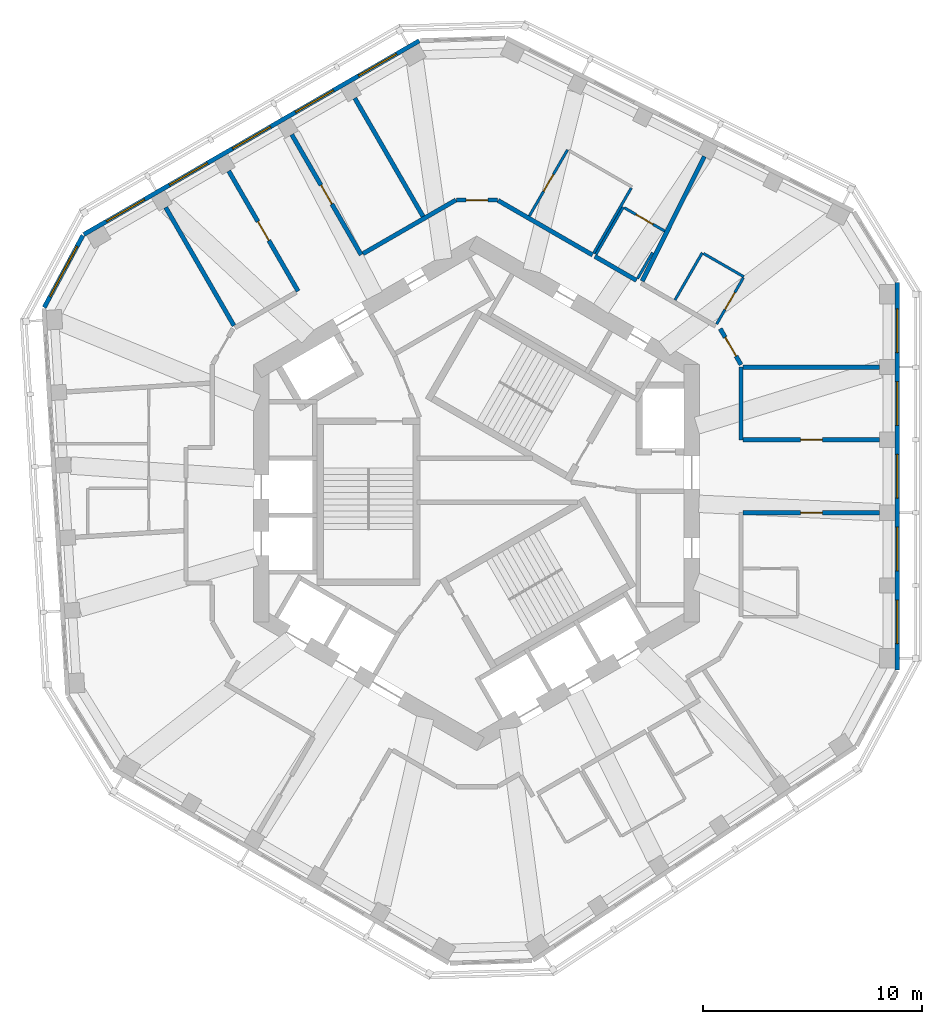
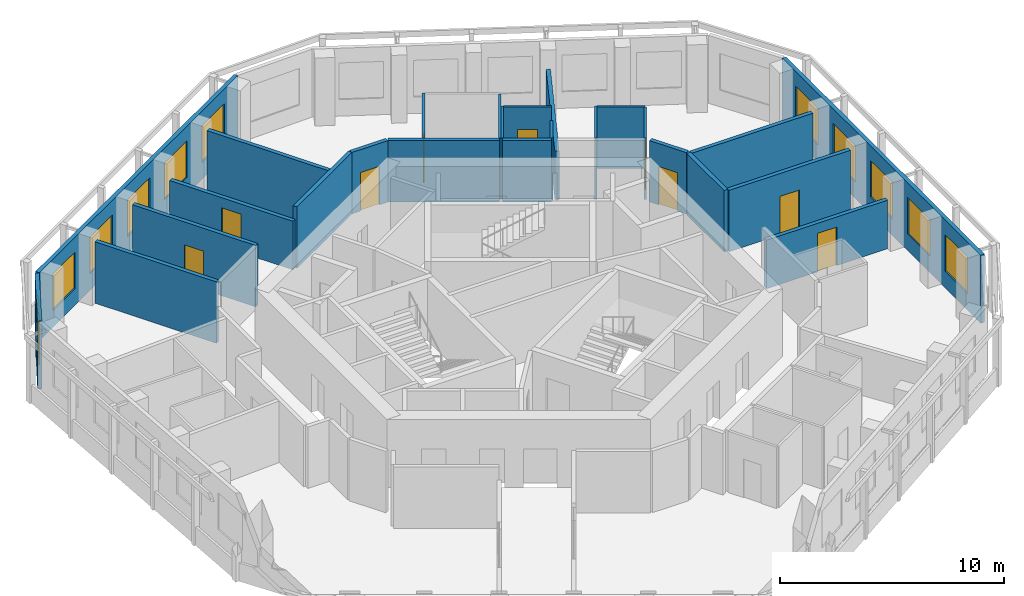
# One storey, part 7 of 11: 25 walls, 11 windows, 9 doors, 20 openings.
"""IFC4 building model written with IfcOpenShell, lengths in metres."""

from ifc_helpers import new_model, si_unit, direction, frame, frame_2d, origin, place, context, subcontext, project, spatial, rectangle, extrude, material, layer, layer_set, type_object, element, fill, save


model = new_model("IFC4")

# Units and contexts
model_context = context("Model", 3, precision=1e-05, world=origin(), true_north=direction((0.0, 1.0)))
body_context = subcontext(model_context, "Body", "Model", "MODEL_VIEW")
ifc_project = project(units=[si_unit("LENGTHUNIT", "METRE"), si_unit("AREAUNIT", "SQUARE_METRE"), si_unit("VOLUMEUNIT", "CUBIC_METRE"), si_unit("PLANEANGLEUNIT", "RADIAN"), si_unit("MASSUNIT", "GRAM", prefix="KILO")], contexts=[model_context])

# Site, building, storey
site_placement = place(None, origin())
site = spatial("IfcSite", under=ifc_project, at=site_placement, CompositionType="ELEMENT")
building_placement = place(site_placement, origin())
building = spatial("IfcBuilding", under=site, at=building_placement, Name="Vanh Sen Convention Tower", CompositionType="ELEMENT")
storey_placement = place(building_placement, frame((0.0, 0.0, 296.800048828125)))
storey = spatial("IfcBuildingStorey", under=building, at=storey_placement, Name="L73", CompositionType="ELEMENT", Elevation=296.800048828125)

# Wall, opening, door
ifc_material_1 = material(Name="Moisture-resistant gypsum board on steel studs", Category="steel")
ifc_layer_1 = layer(ifc_material_1, 0.1201171875)
ifc_layer_set_1 = layer_set([ifc_layer_1], Name="Moisture-resistant gypsum board on steel studs")
wall_type_1 = type_object("IfcWallType", Name="Bathroom partition 120", PredefinedType="PARTITIONING", material=ifc_layer_set_1)
wall_1_placement = place(storey_placement, frame((2.4130859375, 12.694091796875, 0.0), z_axis=(0.0, 0.0, 1.0), x_axis=(0.500010275428, 0.866019471182, 0.0)))
wall_1 = element("IfcWall", 1, at=wall_1_placement, inside=storey, type_object=wall_type_1, Name="Bathroom partition 120", PredefinedType="PARTITIONING", context=body_context, shape_type="SweptSolid", body=[
    extrude(rectangle(XDim=3.5, YDim=0.1201171875, at=frame_2d((1.75, 0.0))), origin(), (0.0, 0.0, 1.0), 3.349853515625),
])
opening_1_placement = place(wall_1_placement, frame((1.300048828125, 0.0, 0.0)))
opening_1 = element("IfcOpeningElement", 2, at=opening_1_placement, cuts=wall_1, Name="Opening D72106", PredefinedType="OPENING", context=body_context, shape_type="SweptSolid", body=[
    extrude(rectangle(XDim=0.89990234375, YDim=2.10009765625, at=frame_2d((0.449951171875, 1.050048828125))), frame((0.0, 0.070068359375, 0.0), z_axis=(0.0, -1.0, 0.0), x_axis=(1.0, 0.0, 0.0)), (0.0, 0.0, 1.0), 0.14013671875),
])
ifc_material_2 = material(Name="Laminate door in steel frame", Category="steel")
door_type_1 = type_object("IfcDoorType", Name="Room internal door 900", OperationType="SINGLE_SWING_LEFT", PredefinedType="DOOR", material=ifc_material_2)
door_1_placement = place(opening_1_placement, origin())
door_1 = element("IfcDoor", 3, at=door_1_placement, inside=storey, type_object=door_type_1, Name="Internal room door D72106", OperationType="SINGLE_SWING_LEFT", OverallHeight=2.10009765625, OverallWidth=0.89990234375, PredefinedType="DOOR", context=body_context, shape_type="SweptSolid", body=[
    extrude(rectangle(XDim=0.89990234375, YDim=2.10009765625, at=frame_2d((0.449951171875, 1.050048828125))), frame((0.0, 0.02490234375, 0.0), z_axis=(0.0, -1.0, 0.0), x_axis=(1.0, 0.0, 0.0)), (0.0, 0.0, 1.0), 0.050048828125),
])
fill(opening_1, door_1)

# Wall
wall_2_placement = place(storey_placement, frame((5.46142578125, 10.93408203125, 0.0), z_axis=(0.0, 0.0, 1.0), x_axis=(0.500004234368, 0.866022959057, 0.0)))
element("IfcWall", 4, at=wall_2_placement, inside=storey, type_object=wall_type_1, Name="Bathroom partition 120", PredefinedType="PARTITIONING", context=body_context, shape_type="SweptSolid", body=[
    extrude(rectangle(XDim=2.5, YDim=0.1201171875, at=frame_2d((1.25, 0.0))), origin(), (0.0, 0.0, 1.0), 3.349853515625),
])

# Wall, opening, door
wall_3_placement = place(storey_placement, frame((6.763427734375, 13.069091796875, 0.0), z_axis=(0.0, 0.0, 1.0), x_axis=(0.866019511163, -0.500010206181, 0.0)))
wall_3 = element("IfcWall", 5, at=wall_3_placement, inside=storey, type_object=wall_type_1, Name="Bathroom partition 120", PredefinedType="PARTITIONING", context=body_context, shape_type="SweptSolid", body=[
    extrude(rectangle(XDim=2.1298828125, YDim=0.1201171875, at=frame_2d((1.06494140625, 0.0))), origin(), (0.0, 0.0, 1.0), 3.349853515625),
])
opening_2_placement = place(wall_3_placement, frame((0.614990234375, 0.0, 0.0)))
opening_2 = element("IfcOpeningElement", 6, at=opening_2_placement, cuts=wall_3, Name="Opening D72105", PredefinedType="OPENING", context=body_context, shape_type="SweptSolid", body=[
    extrude(rectangle(XDim=0.89990234375, YDim=2.10009765625, at=frame_2d((0.449951171875, 1.050048828125))), frame((0.0, 0.070068359375, 0.0), z_axis=(0.0, -1.0, 0.0), x_axis=(1.0, 0.0, 0.0)), (0.0, 0.0, 1.0), 0.14013671875),
])
door_2_placement = place(opening_2_placement, origin())
door_2 = element("IfcDoor", 7, at=door_2_placement, inside=storey, type_object=door_type_1, Name="Internal room door D72105", OperationType="SINGLE_SWING_LEFT", OverallHeight=2.10009765625, OverallWidth=0.89990234375, PredefinedType="DOOR", context=body_context, shape_type="SweptSolid", body=[
    extrude(rectangle(XDim=0.89990234375, YDim=2.10009765625, at=frame_2d((0.449951171875, 1.050048828125))), frame((0.0, 0.02490234375, 0.0), z_axis=(0.0, -1.0, 0.0), x_axis=(1.0, 0.0, 0.0)), (0.0, 0.0, 1.0), 0.050048828125),
])
fill(opening_2, door_2)

# Walls
wall_4_placement = place(storey_placement, frame((7.077392578125, 13.97314453125, 0.0), z_axis=(0.0, 0.0, 1.0), x_axis=(-0.499955923987, -0.866050849587, 0.0)))
element("IfcWall", 8, at=wall_4_placement, inside=storey, type_object=wall_type_1, Name="Bathroom partition 120", PredefinedType="PARTITIONING", context=body_context, shape_type="SweptSolid", body=[
    extrude(rectangle(XDim=3.439697265625, YDim=0.1201171875, at=frame_2d((1.7197265625, 0.0))), origin(), (0.0, 0.0, 1.0), 3.349853515625),
])
wall_5_placement = place(storey_placement, frame((8.05078125, 11.018798828125, 0.0), z_axis=(0.0, 0.0, 1.0), x_axis=(-0.500093228334, -0.86597157169, 0.0)))
element("IfcWall", 9, at=wall_5_placement, inside=storey, type_object=wall_type_1, Name="Bathroom partition 120", PredefinedType="PARTITIONING", context=body_context, shape_type="SweptSolid", body=[
    extrude(rectangle(XDim=1.367919921875, YDim=0.1201171875, at=frame_2d((0.68408203125, 0.0))), origin(), (0.0, 0.0, 1.0), 3.349853515625),
])
wall_6_placement = place(storey_placement, frame((9.078125, 8.845947265625, 0.0), z_axis=(0.0, 0.0, 1.0), x_axis=(0.500004234368, 0.866022959057, 0.0)))
element("IfcWall", 10, at=wall_6_placement, inside=storey, type_object=wall_type_1, Name="Bathroom partition 120", PredefinedType="PARTITIONING", context=body_context, shape_type="SweptSolid", body=[
    extrude(rectangle(XDim=2.5, YDim=0.1201171875, at=frame_2d((1.25, 0.0))), origin(), (0.0, 0.0, 1.0), 3.349853515625),
])
wall_7_placement = place(storey_placement, frame((10.380126953125, 10.981201171875, 0.0), z_axis=(0.0, 0.0, 1.0), x_axis=(0.86600889856, -0.500028586798, 0.0)))
element("IfcWall", 11, at=wall_7_placement, inside=storey, type_object=wall_type_1, Name="Bathroom partition 120", PredefinedType="PARTITIONING", context=body_context, shape_type="SweptSolid", body=[
    extrude(rectangle(XDim=2.139892578125, YDim=0.1201171875, at=frame_2d((1.06982421875, 0.0))), origin(), (0.0, 0.0, 1.0), 3.349853515625),
])

# Wall, opening, door
wall_8_placement = place(storey_placement, frame((12.20361328125, 9.859130859375, 0.0), z_axis=(0.0, 0.0, 1.0), x_axis=(-0.500077547548, -0.865980627057, 0.0)))
wall_8 = element("IfcWall", 12, at=wall_8_placement, inside=storey, type_object=wall_type_1, Name="Bathroom partition 120", PredefinedType="PARTITIONING", context=body_context, shape_type="SweptSolid", body=[
    extrude(rectangle(XDim=2.43994140625, YDim=0.1201171875, at=frame_2d((1.219970703125, 0.0))), origin(), (0.0, 0.0, 1.0), 3.349853515625),
])
opening_3_placement = place(wall_8_placement, frame((0.77001953125, 0.0, 0.0)))
opening_3 = element("IfcOpeningElement", 13, at=opening_3_placement, cuts=wall_8, Name="Opening D72103", PredefinedType="OPENING", context=body_context, shape_type="SweptSolid", body=[
    extrude(rectangle(XDim=0.89990234375, YDim=2.10009765625, at=frame_2d((0.449951171875, 1.050048828125))), frame((0.0, 0.070068359375, 0.0), z_axis=(0.0, -1.0, 0.0), x_axis=(1.0, 0.0, 0.0)), (0.0, 0.0, 1.0), 0.14013671875),
])
door_3_placement = place(opening_3_placement, origin())
door_3 = element("IfcDoor", 14, at=door_3_placement, inside=storey, type_object=door_type_1, Name="Internal room door D72103", OperationType="SINGLE_SWING_LEFT", OverallHeight=2.10009765625, OverallWidth=0.89990234375, PredefinedType="DOOR", context=body_context, shape_type="SweptSolid", body=[
    extrude(rectangle(XDim=0.89990234375, YDim=2.10009765625, at=frame_2d((0.449951171875, 1.050048828125))), frame((0.0, 0.02490234375, 0.0), z_axis=(0.0, -1.0, 0.0), x_axis=(1.0, 0.0, 0.0)), (0.0, 0.0, 1.0), 0.050048828125),
])
fill(opening_3, door_3)

ifc_material_3 = material(Name="Gypsum board on steel studs with mineral wool", Category="steel")
ifc_layer_2 = layer(ifc_material_3, 0.199951171875)
ifc_layer_set_2 = layer_set([ifc_layer_2], Name="Gypsum board on steel studs with mineral wool")
wall_type_2 = type_object("IfcWallType", Name="Corridor partition wall 200", PredefinedType="PARTITIONING", material=ifc_layer_set_2)
wall_9_placement = place(storey_placement, frame((-11.34521484375, 14.754150390625, 0.0), z_axis=(0.0, 0.0, 1.0), x_axis=(0.500005339912, -0.866022320763, 0.0)))
wall_9 = element("IfcWall", 15, at=wall_9_placement, inside=storey, type_object=wall_type_2, Name="Corridor partition wall 200", PredefinedType="PARTITIONING", context=body_context, shape_type="SweptSolid", body=[
    extrude(rectangle(XDim=6.35009765625, YDim=0.199951171875, at=frame_2d((3.175048828125, 0.0))), origin(), (0.0, 0.0, 1.0), 3.349853515625),
])
opening_4_placement = place(wall_9_placement, frame((2.675048828125, 0.0, 0.0)))
opening_4 = element("IfcOpeningElement", 16, at=opening_4_placement, cuts=wall_9, Name="Opening D72108", PredefinedType="OPENING", context=body_context, shape_type="SweptSolid", body=[
    extrude(rectangle(XDim=1.0, YDim=2.10009765625, at=frame_2d((0.5, 1.050048828125))), frame((0.0, 0.10986328125, 0.0), z_axis=(0.0, -1.0, 0.0), x_axis=(1.0, 0.0, 0.0)), (0.0, 0.0, 1.0), 0.219970703125),
])
ifc_material_4 = material(Name="Glazed fire door in steel frame", Category="steel")
door_type_2 = type_object("IfcDoorType", Name="Tenant entrance door 1000", OperationType="SINGLE_SWING_LEFT", PredefinedType="DOOR", material=ifc_material_4)
door_4_placement = place(opening_4_placement, origin())
door_4 = element("IfcDoor", 17, at=door_4_placement, inside=storey, type_object=door_type_2, Name="Tenant suite entrance door D72108", OperationType="SINGLE_SWING_LEFT", OverallHeight=2.10009765625, OverallWidth=1.0, PredefinedType="DOOR", context=body_context, shape_type="SweptSolid", body=[
    extrude(rectangle(XDim=1.0, YDim=2.10009765625, at=frame_2d((0.5, 1.050048828125))), frame((0.0, 0.02490234375, 0.0), z_axis=(0.0, -1.0, 0.0), x_axis=(1.0, 0.0, 0.0)), (0.0, 0.0, 1.0), 0.050048828125),
])
fill(opening_4, door_4)

wall_10_placement = place(storey_placement, frame((-8.4599609375, 16.419921875, 0.0), z_axis=(0.0, 0.0, 1.0), x_axis=(0.500005339912, -0.866022320763, 0.0)))
wall_10 = element("IfcWall", 18, at=wall_10_placement, inside=storey, type_object=wall_type_2, Name="Corridor partition wall 200", PredefinedType="PARTITIONING", context=body_context, shape_type="SweptSolid", body=[
    extrude(rectangle(XDim=6.35009765625, YDim=0.199951171875, at=frame_2d((3.175048828125, 0.0))), origin(), (0.0, 0.0, 1.0), 2.64990234375),
])
opening_5_placement = place(wall_10_placement, frame((2.675048828125, 0.0, 0.0)))
opening_5 = element("IfcOpeningElement", 19, at=opening_5_placement, cuts=wall_10, Name="Opening D72107", PredefinedType="OPENING", context=body_context, shape_type="SweptSolid", body=[
    extrude(rectangle(XDim=1.0, YDim=2.10009765625, at=frame_2d((0.5, 1.050048828125))), frame((0.0, 0.10986328125, 0.0), z_axis=(0.0, -1.0, 0.0), x_axis=(1.0, 0.0, 0.0)), (0.0, 0.0, 1.0), 0.219970703125),
])
door_5_placement = place(opening_5_placement, origin())
door_5 = element("IfcDoor", 20, at=door_5_placement, inside=storey, type_object=door_type_2, Name="Tenant suite entrance door D72107", OperationType="SINGLE_SWING_LEFT", OverallHeight=2.10009765625, OverallWidth=1.0, PredefinedType="DOOR", context=body_context, shape_type="SweptSolid", body=[
    extrude(rectangle(XDim=1.0, YDim=2.10009765625, at=frame_2d((0.5, 1.050048828125))), frame((0.0, 0.02490234375, 0.0), z_axis=(0.0, -1.0, 0.0), x_axis=(1.0, 0.0, 0.0)), (0.0, 0.0, 1.0), 0.050048828125),
])
fill(opening_5, door_5)

# Wall
wall_11_placement = place(storey_placement, frame((-0.949951171875, 13.42333984375, 0.0), z_axis=(0.0, 0.0, 1.0), x_axis=(-0.86603557629, -0.499982380289, 0.0)))
element("IfcWall", 21, at=wall_11_placement, inside=storey, type_object=wall_type_2, Name="Corridor partition wall 200", PredefinedType="PARTITIONING", context=body_context, shape_type="SweptSolid", body=[
    extrude(rectangle(XDim=4.905517578125, YDim=0.199951171875, at=frame_2d((2.45263671875, 0.0))), origin(), (0.0, 0.0, 1.0), 3.349853515625),
])

# Wall, opening, door
wall_12_placement = place(storey_placement, frame((0.949951171875, 13.42333984375, 0.0), z_axis=(0.0, 0.0, 1.0), x_axis=(-1.0, 0.0, 0.0)))
wall_12 = element("IfcWall", 22, at=wall_12_placement, inside=storey, type_object=wall_type_2, Name="Corridor partition wall 200", PredefinedType="PARTITIONING", context=body_context, shape_type="SweptSolid", body=[
    extrude(rectangle(XDim=1.85986328125, YDim=0.199951171875, at=frame_2d((0.929931640625, 0.0))), origin(), (0.0, 0.0, 1.0), 3.349853515625),
])
opening_6_placement = place(wall_12_placement, frame((0.429931640625, 0.0, 0.0)))
opening_6 = element("IfcOpeningElement", 23, at=opening_6_placement, cuts=wall_12, Name="Opening D72104", PredefinedType="OPENING", context=body_context, shape_type="SweptSolid", body=[
    extrude(rectangle(XDim=1.0, YDim=2.10009765625, at=frame_2d((0.5, 1.050048828125))), frame((0.0, 0.10986328125, 0.0), z_axis=(0.0, -1.0, 0.0), x_axis=(1.0, 0.0, 0.0)), (0.0, 0.0, 1.0), 0.219970703125),
])
door_6_placement = place(opening_6_placement, origin())
door_6 = element("IfcDoor", 24, at=door_6_placement, inside=storey, type_object=door_type_2, Name="Tenant suite entrance door D72104", OperationType="SINGLE_SWING_LEFT", OverallHeight=2.10009765625, OverallWidth=1.0, PredefinedType="DOOR", context=body_context, shape_type="SweptSolid", body=[
    extrude(rectangle(XDim=1.0, YDim=2.10009765625, at=frame_2d((0.5, 1.050048828125))), frame((0.0, 0.02490234375, 0.0), z_axis=(0.0, -1.0, 0.0), x_axis=(1.0, 0.0, 0.0)), (0.0, 0.0, 1.0), 0.050048828125),
])
fill(opening_6, door_6)

# Walls
wall_13_placement = place(storey_placement, frame((5.3076171875, 10.907470703125, 0.0), z_axis=(0.0, 0.0, 1.0), x_axis=(-0.866028394472, 0.499994819941, 0.0)))
element("IfcWall", 25, at=wall_13_placement, inside=storey, type_object=wall_type_2, Name="Corridor partition wall 200", PredefinedType="PARTITIONING", context=body_context, shape_type="SweptSolid", body=[
    extrude(rectangle(XDim=4.99169921875, YDim=0.199951171875, at=frame_2d((2.495849609375, 0.0))), origin(), (0.0, 0.0, 1.0), 3.349853515625),
])
wall_14_placement = place(storey_placement, frame((7.316650390625, 9.74755859375, 0.0), z_axis=(0.0, 0.0, 1.0), x_axis=(-0.866028486751, 0.499994660107, 0.0)))
element("IfcWall", 26, at=wall_14_placement, inside=storey, type_object=wall_type_2, Name="Corridor partition wall 200", PredefinedType="PARTITIONING", context=body_context, shape_type="SweptSolid", body=[
    extrude(rectangle(XDim=2.19970703125, YDim=0.199951171875, at=frame_2d((1.099853515625, 0.0))), origin(), (0.0, 0.0, 1.0), 3.349853515625),
])
wall_15_placement = place(storey_placement, frame((12.10009765625, 2.4482421875, 0.0), z_axis=(0.0, 0.0, 1.0), x_axis=(0.0, 1.0, 0.0)))
element("IfcWall", 27, at=wall_15_placement, inside=storey, type_object=wall_type_2, Name="Corridor partition wall 200", PredefinedType="PARTITIONING", context=body_context, shape_type="SweptSolid", body=[
    extrude(rectangle(XDim=3.33154296875, YDim=0.199951171875, at=frame_2d((1.665771484375, 0.0))), origin(), (0.0, 0.0, 1.0), 3.349853515625),
])

# Wall, opening, door
wall_16_placement = place(storey_placement, frame((12.10009765625, 5.888916015625, 0.0), z_axis=(0.0, 0.0, 1.0), x_axis=(-0.500063520245, 0.865988727248, 0.0)))
wall_16 = element("IfcWall", 28, at=wall_16_placement, inside=storey, type_object=wall_type_2, Name="Corridor partition wall 200", PredefinedType="PARTITIONING", context=body_context, shape_type="SweptSolid", body=[
    extrude(rectangle(XDim=1.900146484375, YDim=0.199951171875, at=frame_2d((0.9501953125, 0.0))), origin(), (0.0, 0.0, 1.0), 3.349853515625),
])
opening_7_placement = place(wall_16_placement, frame((0.449951171875, 0.0, 0.0)))
opening_7 = element("IfcOpeningElement", 29, at=opening_7_placement, cuts=wall_16, Name="Opening D72102", PredefinedType="OPENING", context=body_context, shape_type="SweptSolid", body=[
    extrude(rectangle(XDim=1.0, YDim=2.10009765625, at=frame_2d((0.5, 1.050048828125))), frame((0.0, 0.10986328125, 0.0), z_axis=(0.0, -1.0, 0.0), x_axis=(1.0, 0.0, 0.0)), (0.0, 0.0, 1.0), 0.219970703125),
])
door_7_placement = place(opening_7_placement, origin())
door_7 = element("IfcDoor", 30, at=door_7_placement, inside=storey, type_object=door_type_2, Name="Tenant suite entrance door D72102", OperationType="SINGLE_SWING_LEFT", OverallHeight=2.10009765625, OverallWidth=1.0, PredefinedType="DOOR", context=body_context, shape_type="SweptSolid", body=[
    extrude(rectangle(XDim=1.0, YDim=2.10009765625, at=frame_2d((0.5, 1.050048828125))), frame((0.0, 0.02490234375, 0.0), z_axis=(0.0, -1.0, 0.0), x_axis=(1.0, 0.0, 0.0)), (0.0, 0.0, 1.0), 0.050048828125),
])
fill(opening_7, door_7)

wall_17_placement = place(storey_placement, frame((12.199951171875, -0.88330078125, 0.0), z_axis=(0.0, 0.0, 1.0), x_axis=(1.0, 0.0, 0.0)))
wall_17 = element("IfcWall", 31, at=wall_17_placement, inside=storey, type_object=wall_type_2, Name="Corridor partition wall 200", PredefinedType="PARTITIONING", context=body_context, shape_type="SweptSolid", body=[
    extrude(rectangle(XDim=6.25, YDim=0.199951171875, at=frame_2d((3.125, 0.0))), origin(), (0.0, 0.0, 1.0), 2.64990234375),
])
opening_8_placement = place(wall_17_placement, frame((2.625, 0.0, 0.0)))
opening_8 = element("IfcOpeningElement", 32, at=opening_8_placement, cuts=wall_17, Name="Opening D72119", PredefinedType="OPENING", context=body_context, shape_type="SweptSolid", body=[
    extrude(rectangle(XDim=1.0, YDim=2.10009765625, at=frame_2d((0.5, 1.050048828125))), frame((0.0, 0.10986328125, 0.0), z_axis=(0.0, -1.0, 0.0), x_axis=(1.0, 0.0, 0.0)), (0.0, 0.0, 1.0), 0.219970703125),
])
door_8_placement = place(opening_8_placement, origin())
door_8 = element("IfcDoor", 33, at=door_8_placement, inside=storey, type_object=door_type_2, Name="Tenant suite entrance door D72119", OperationType="SINGLE_SWING_LEFT", OverallHeight=2.10009765625, OverallWidth=1.0, PredefinedType="DOOR", context=body_context, shape_type="SweptSolid", body=[
    extrude(rectangle(XDim=1.0, YDim=2.10009765625, at=frame_2d((0.5, 1.050048828125))), frame((0.0, 0.02490234375, 0.0), z_axis=(0.0, -1.0, 0.0), x_axis=(1.0, 0.0, 0.0)), (0.0, 0.0, 1.0), 0.050048828125),
])
fill(opening_8, door_8)

wall_18_placement = place(storey_placement, frame((18.449951171875, 2.4482421875, 0.0), z_axis=(0.0, 0.0, 1.0), x_axis=(-1.0, 0.0, 0.0)))
wall_18 = element("IfcWall", 34, at=wall_18_placement, inside=storey, type_object=wall_type_2, Name="Corridor partition wall 200", PredefinedType="PARTITIONING", context=body_context, shape_type="SweptSolid", body=[
    extrude(rectangle(XDim=6.25, YDim=0.199951171875, at=frame_2d((3.125, 0.0))), origin(), (0.0, 0.0, 1.0), 3.349853515625),
])
opening_9_placement = place(wall_18_placement, frame((2.625, 0.0, 0.0)))
opening_9 = element("IfcOpeningElement", 35, at=opening_9_placement, cuts=wall_18, Name="Opening D72101", PredefinedType="OPENING", context=body_context, shape_type="SweptSolid", body=[
    extrude(rectangle(XDim=1.0, YDim=2.10009765625, at=frame_2d((0.5, 1.050048828125))), frame((0.0, 0.10986328125, 0.0), z_axis=(0.0, -1.0, 0.0), x_axis=(1.0, 0.0, 0.0)), (0.0, 0.0, 1.0), 0.219970703125),
])
door_9_placement = place(opening_9_placement, origin())
door_9 = element("IfcDoor", 36, at=door_9_placement, inside=storey, type_object=door_type_2, Name="Tenant suite entrance door D72101", OperationType="SINGLE_SWING_LEFT", OverallHeight=2.10009765625, OverallWidth=1.0, PredefinedType="DOOR", context=body_context, shape_type="SweptSolid", body=[
    extrude(rectangle(XDim=1.0, YDim=2.10009765625, at=frame_2d((0.5, 1.050048828125))), frame((0.0, 0.02490234375, 0.0), z_axis=(0.0, -1.0, 0.0), x_axis=(1.0, 0.0, 0.0)), (0.0, 0.0, 1.0), 0.050048828125),
])
fill(opening_9, door_9)

# Wall, openings, windows
ifc_material_5 = material(Name="Insulated lightweight infill wall")
ifc_layer_3 = layer(ifc_material_5, 0.199951171875)
ifc_layer_set_3 = layer_set([ifc_layer_3], Name="Insulated lightweight infill wall")
wall_type_3 = type_object("IfcWallType", Name="External wall 200", PredefinedType="STANDARD", material=ifc_layer_set_3)
wall_19_placement = place(storey_placement, frame((19.25, -8.083984375, 0.0), z_axis=(0.0, 0.0, 1.0), x_axis=(0.0, 1.0, 0.0)))
wall_19 = element("IfcWall", 37, at=wall_19_placement, inside=storey, type_object=wall_type_3, Name="External wall E L73", PredefinedType="STANDARD", context=body_context, shape_type="SweptSolid", body=[
    extrude(rectangle(XDim=17.731201171875, YDim=0.199951171875, at=frame_2d((8.86572265625, 0.0))), origin(), (0.0, 0.0, 1.0), 3.699951171875),
])
opening_10_placement = place(wall_19_placement, frame((1.203125, 0.0, 0.89990234375)))
opening_10 = element("IfcOpeningElement", 38, at=opening_10_placement, cuts=wall_19, Name="Opening WO5-E1", PredefinedType="OPENING", context=body_context, shape_type="SweptSolid", body=[
    extrude(rectangle(XDim=2.0, YDim=2.0, at=frame_2d((1.0, 1.0))), frame((0.0, 0.10986328125, 0.0), z_axis=(0.0, -1.0, 0.0), x_axis=(1.0, 0.0, 0.0)), (0.0, 0.0, 1.0), 0.219970703125),
])
opening_11_placement = place(wall_19_placement, frame((4.534912109375, 0.0, 0.89990234375)))
opening_11 = element("IfcOpeningElement", 39, at=opening_11_placement, cuts=wall_19, Name="Opening WO5-E2", PredefinedType="OPENING", context=body_context, shape_type="SweptSolid", body=[
    extrude(rectangle(XDim=2.0, YDim=2.0, at=frame_2d((1.0, 1.0))), frame((0.0, 0.10986328125, 0.0), z_axis=(0.0, -1.0, 0.0), x_axis=(1.0, 0.0, 0.0)), (0.0, 0.0, 1.0), 0.219970703125),
])
opening_12_placement = place(wall_19_placement, frame((7.866455078125, 0.0, 0.89990234375)))
opening_12 = element("IfcOpeningElement", 40, at=opening_12_placement, cuts=wall_19, Name="Opening WO5-E3", PredefinedType="OPENING", context=body_context, shape_type="SweptSolid", body=[
    extrude(rectangle(XDim=2.0, YDim=2.0, at=frame_2d((1.0, 1.0))), frame((0.0, 0.10986328125, 0.0), z_axis=(0.0, -1.0, 0.0), x_axis=(1.0, 0.0, 0.0)), (0.0, 0.0, 1.0), 0.219970703125),
])
opening_13_placement = place(wall_19_placement, frame((11.197998046875, 0.0, 0.89990234375)))
opening_13 = element("IfcOpeningElement", 41, at=opening_13_placement, cuts=wall_19, Name="Opening WO5-E4", PredefinedType="OPENING", context=body_context, shape_type="SweptSolid", body=[
    extrude(rectangle(XDim=2.0, YDim=2.0, at=frame_2d((1.0, 1.0))), frame((0.0, 0.10986328125, 0.0), z_axis=(0.0, -1.0, 0.0), x_axis=(1.0, 0.0, 0.0)), (0.0, 0.0, 1.0), 0.219970703125),
])
opening_14_placement = place(wall_19_placement, frame((14.52978515625, 0.0, 0.89990234375)))
opening_14 = element("IfcOpeningElement", 42, at=opening_14_placement, cuts=wall_19, Name="Opening WO5-E5", PredefinedType="OPENING", context=body_context, shape_type="SweptSolid", body=[
    extrude(rectangle(XDim=2.0, YDim=2.0, at=frame_2d((1.0, 1.0))), frame((0.0, 0.10986328125, 0.0), z_axis=(0.0, -1.0, 0.0), x_axis=(1.0, 0.0, 0.0)), (0.0, 0.0, 1.0), 0.219970703125),
])
ifc_material_6 = material(Name="Aluminium frame with clear low-emissivity glass", Category="aluminium")
window_type_1 = type_object("IfcWindowType", Name="Office window 2000 x 2000", PartitioningType="SINGLE_PANEL", PredefinedType="WINDOW", material=ifc_material_6)
window_1_placement = place(opening_10_placement, origin())
window_1 = element("IfcWindow", 43, at=window_1_placement, inside=storey, type_object=window_type_1, Name="Window WO5-E1", OverallHeight=2.0, OverallWidth=2.0, PartitioningType="SINGLE_PANEL", PredefinedType="WINDOW", context=body_context, shape_type="SweptSolid", body=[
    extrude(rectangle(XDim=2.0, YDim=2.0, at=frame_2d((1.0, 1.0))), frame((0.0, 0.030029296875, 0.0), z_axis=(0.0, -1.0, 0.0), x_axis=(1.0, 0.0, 0.0)), (0.0, 0.0, 1.0), 0.06005859375),
])
fill(opening_10, window_1)
window_2_placement = place(opening_11_placement, origin())
window_2 = element("IfcWindow", 44, at=window_2_placement, inside=storey, type_object=window_type_1, Name="Window WO5-E2", OverallHeight=2.0, OverallWidth=2.0, PartitioningType="SINGLE_PANEL", PredefinedType="WINDOW", context=body_context, shape_type="SweptSolid", body=[
    extrude(rectangle(XDim=2.0, YDim=2.0, at=frame_2d((1.0, 1.0))), frame((0.0, 0.030029296875, 0.0), z_axis=(0.0, -1.0, 0.0), x_axis=(1.0, 0.0, 0.0)), (0.0, 0.0, 1.0), 0.06005859375),
])
fill(opening_11, window_2)
window_3_placement = place(opening_12_placement, origin())
window_3 = element("IfcWindow", 45, at=window_3_placement, inside=storey, type_object=window_type_1, Name="Window WO5-E3", OverallHeight=2.0, OverallWidth=2.0, PartitioningType="SINGLE_PANEL", PredefinedType="WINDOW", context=body_context, shape_type="SweptSolid", body=[
    extrude(rectangle(XDim=2.0, YDim=2.0, at=frame_2d((1.0, 1.0))), frame((0.0, 0.030029296875, 0.0), z_axis=(0.0, -1.0, 0.0), x_axis=(1.0, 0.0, 0.0)), (0.0, 0.0, 1.0), 0.06005859375),
])
fill(opening_12, window_3)
window_4_placement = place(opening_13_placement, origin())
window_4 = element("IfcWindow", 46, at=window_4_placement, inside=storey, type_object=window_type_1, Name="Window WO5-E4", OverallHeight=2.0, OverallWidth=2.0, PartitioningType="SINGLE_PANEL", PredefinedType="WINDOW", context=body_context, shape_type="SweptSolid", body=[
    extrude(rectangle(XDim=2.0, YDim=2.0, at=frame_2d((1.0, 1.0))), frame((0.0, 0.030029296875, 0.0), z_axis=(0.0, -1.0, 0.0), x_axis=(1.0, 0.0, 0.0)), (0.0, 0.0, 1.0), 0.06005859375),
])
fill(opening_13, window_4)
window_5_placement = place(opening_14_placement, origin())
window_5 = element("IfcWindow", 47, at=window_5_placement, inside=storey, type_object=window_type_1, Name="Window WO5-E5", OverallHeight=2.0, OverallWidth=2.0, PartitioningType="SINGLE_PANEL", PredefinedType="WINDOW", context=body_context, shape_type="SweptSolid", body=[
    extrude(rectangle(XDim=2.0, YDim=2.0, at=frame_2d((1.0, 1.0))), frame((0.0, 0.030029296875, 0.0), z_axis=(0.0, -1.0, 0.0), x_axis=(1.0, 0.0, 0.0)), (0.0, 0.0, 1.0), 0.06005859375),
])
fill(opening_14, window_5)

wall_20_placement = place(storey_placement, frame((-2.623779296875, 20.713134765625, 0.0), z_axis=(0.0, 0.0, 1.0), x_axis=(-0.866026460444, -0.499998169808, 0.0)))
wall_20 = element("IfcWall", 48, at=wall_20_placement, inside=storey, type_object=wall_type_3, Name="External wall NW L73", PredefinedType="STANDARD", context=body_context, shape_type="SweptSolid", body=[
    extrude(rectangle(XDim=17.7314453125, YDim=0.199951171875, at=frame_2d((8.86572265625, 0.0))), origin(), (0.0, 0.0, 1.0), 3.699951171875),
])
opening_15_placement = place(wall_20_placement, frame((1.203125, 0.0, 0.89990234375)))
opening_15 = element("IfcOpeningElement", 49, at=opening_15_placement, cuts=wall_20, Name="Opening WO5-NW1", PredefinedType="OPENING", context=body_context, shape_type="SweptSolid", body=[
    extrude(rectangle(XDim=2.0, YDim=2.0, at=frame_2d((1.0, 1.0))), frame((0.0, 0.10986328125, 0.0), z_axis=(0.0, -1.0, 0.0), x_axis=(1.0, 0.0, 0.0)), (0.0, 0.0, 1.0), 0.219970703125),
])
opening_16_placement = place(wall_20_placement, frame((4.534912109375, 0.0, 0.89990234375)))
opening_16 = element("IfcOpeningElement", 50, at=opening_16_placement, cuts=wall_20, Name="Opening WO5-NW2", PredefinedType="OPENING", context=body_context, shape_type="SweptSolid", body=[
    extrude(rectangle(XDim=2.0, YDim=2.0, at=frame_2d((1.0, 1.0))), frame((0.0, 0.10986328125, 0.0), z_axis=(0.0, -1.0, 0.0), x_axis=(1.0, 0.0, 0.0)), (0.0, 0.0, 1.0), 0.219970703125),
])
opening_17_placement = place(wall_20_placement, frame((7.86669921875, 0.0, 0.89990234375)))
opening_17 = element("IfcOpeningElement", 51, at=opening_17_placement, cuts=wall_20, Name="Opening WO5-NW3", PredefinedType="OPENING", context=body_context, shape_type="SweptSolid", body=[
    extrude(rectangle(XDim=2.0, YDim=2.0, at=frame_2d((1.0, 1.0))), frame((0.0, 0.10986328125, 0.0), z_axis=(0.0, -1.0, 0.0), x_axis=(1.0, 0.0, 0.0)), (0.0, 0.0, 1.0), 0.219970703125),
])
opening_18_placement = place(wall_20_placement, frame((11.1982421875, 0.0, 0.89990234375)))
opening_18 = element("IfcOpeningElement", 52, at=opening_18_placement, cuts=wall_20, Name="Opening WO5-NW4", PredefinedType="OPENING", context=body_context, shape_type="SweptSolid", body=[
    extrude(rectangle(XDim=2.0, YDim=2.0, at=frame_2d((1.0, 1.0))), frame((0.0, 0.10986328125, 0.0), z_axis=(0.0, -1.0, 0.0), x_axis=(1.0, 0.0, 0.0)), (0.0, 0.0, 1.0), 0.219970703125),
])
opening_19_placement = place(wall_20_placement, frame((14.52978515625, 0.0, 0.89990234375)))
opening_19 = element("IfcOpeningElement", 53, at=opening_19_placement, cuts=wall_20, Name="Opening WO5-NW5", PredefinedType="OPENING", context=body_context, shape_type="SweptSolid", body=[
    extrude(rectangle(XDim=2.0, YDim=2.0, at=frame_2d((1.0, 1.0))), frame((0.0, 0.10986328125, 0.0), z_axis=(0.0, -1.0, 0.0), x_axis=(1.0, 0.0, 0.0)), (0.0, 0.0, 1.0), 0.219970703125),
])
window_6_placement = place(opening_15_placement, origin())
window_6 = element("IfcWindow", 54, at=window_6_placement, inside=storey, type_object=window_type_1, Name="Window WO5-NW1", OverallHeight=2.0, OverallWidth=2.0, PartitioningType="SINGLE_PANEL", PredefinedType="WINDOW", context=body_context, shape_type="SweptSolid", body=[
    extrude(rectangle(XDim=2.0, YDim=2.0, at=frame_2d((1.0, 1.0))), frame((0.0, 0.030029296875, 0.0), z_axis=(0.0, -1.0, 0.0), x_axis=(1.0, 0.0, 0.0)), (0.0, 0.0, 1.0), 0.06005859375),
])
fill(opening_15, window_6)
window_7_placement = place(opening_16_placement, origin())
window_7 = element("IfcWindow", 55, at=window_7_placement, inside=storey, type_object=window_type_1, Name="Window WO5-NW2", OverallHeight=2.0, OverallWidth=2.0, PartitioningType="SINGLE_PANEL", PredefinedType="WINDOW", context=body_context, shape_type="SweptSolid", body=[
    extrude(rectangle(XDim=2.0, YDim=2.0, at=frame_2d((1.0, 1.0))), frame((0.0, 0.030029296875, 0.0), z_axis=(0.0, -1.0, 0.0), x_axis=(1.0, 0.0, 0.0)), (0.0, 0.0, 1.0), 0.06005859375),
])
fill(opening_16, window_7)
window_8_placement = place(opening_17_placement, origin())
window_8 = element("IfcWindow", 56, at=window_8_placement, inside=storey, type_object=window_type_1, Name="Window WO5-NW3", OverallHeight=2.0, OverallWidth=2.0, PartitioningType="SINGLE_PANEL", PredefinedType="WINDOW", context=body_context, shape_type="SweptSolid", body=[
    extrude(rectangle(XDim=2.0, YDim=2.0, at=frame_2d((1.0, 1.0))), frame((0.0, 0.030029296875, 0.0), z_axis=(0.0, -1.0, 0.0), x_axis=(1.0, 0.0, 0.0)), (0.0, 0.0, 1.0), 0.06005859375),
])
fill(opening_17, window_8)
window_9_placement = place(opening_18_placement, origin())
window_9 = element("IfcWindow", 57, at=window_9_placement, inside=storey, type_object=window_type_1, Name="Window WO5-NW4", OverallHeight=2.0, OverallWidth=2.0, PartitioningType="SINGLE_PANEL", PredefinedType="WINDOW", context=body_context, shape_type="SweptSolid", body=[
    extrude(rectangle(XDim=2.0, YDim=2.0, at=frame_2d((1.0, 1.0))), frame((0.0, 0.030029296875, 0.0), z_axis=(0.0, -1.0, 0.0), x_axis=(1.0, 0.0, 0.0)), (0.0, 0.0, 1.0), 0.06005859375),
])
fill(opening_18, window_9)
window_10_placement = place(opening_19_placement, origin())
window_10 = element("IfcWindow", 58, at=window_10_placement, inside=storey, type_object=window_type_1, Name="Window WO5-NW5", OverallHeight=2.0, OverallWidth=2.0, PartitioningType="SINGLE_PANEL", PredefinedType="WINDOW", context=body_context, shape_type="SweptSolid", body=[
    extrude(rectangle(XDim=2.0, YDim=2.0, at=frame_2d((1.0, 1.0))), frame((0.0, 0.030029296875, 0.0), z_axis=(0.0, -1.0, 0.0), x_axis=(1.0, 0.0, 0.0)), (0.0, 0.0, 1.0), 0.06005859375),
])
fill(opening_19, window_10)

# Wall, opening, window
wall_21_placement = place(storey_placement, frame((-18.017822265625, 11.80810546875, 0.0), z_axis=(0.0, 0.0, 1.0), x_axis=(-0.473318619185, -0.880891301315, 0.0)))
wall_21 = element("IfcWall", 59, at=wall_21_placement, inside=storey, type_object=wall_type_3, Name="External wall CH3 L73", PredefinedType="STANDARD", context=body_context, shape_type="SweptSolid", body=[
    extrude(rectangle(XDim=3.746826171875, YDim=0.199951171875, at=frame_2d((1.87353515625, 0.0))), origin(), (0.0, 0.0, 1.0), 3.699951171875),
])
opening_20_placement = place(wall_21_placement, frame((0.5732421875, 0.0, 0.89990234375)))
opening_20 = element("IfcOpeningElement", 60, at=opening_20_placement, cuts=wall_21, Name="Opening WO6-CH31", PredefinedType="OPENING", context=body_context, shape_type="SweptSolid", body=[
    extrude(rectangle(XDim=2.60009765625, YDim=2.0, at=frame_2d((1.300048828125, 1.0))), frame((0.0, 0.10986328125, 0.0), z_axis=(0.0, -1.0, 0.0), x_axis=(1.0, 0.0, 0.0)), (0.0, 0.0, 1.0), 0.219970703125),
])
window_type_2 = type_object("IfcWindowType", Name="Office window 2600 x 2000", PartitioningType="SINGLE_PANEL", PredefinedType="WINDOW", material=ifc_material_6)
window_11_placement = place(opening_20_placement, origin())
window_11 = element("IfcWindow", 61, at=window_11_placement, inside=storey, type_object=window_type_2, Name="Window WO6-CH31", OverallHeight=2.0, OverallWidth=2.60009765625, PartitioningType="SINGLE_PANEL", PredefinedType="WINDOW", context=body_context, shape_type="SweptSolid", body=[
    extrude(rectangle(XDim=2.60009765625, YDim=2.0, at=frame_2d((1.300048828125, 1.0))), frame((0.0, 0.030029296875, 0.0), z_axis=(0.0, -1.0, 0.0), x_axis=(1.0, 0.0, 0.0)), (0.0, 0.0, 1.0), 0.06005859375),
])
fill(opening_20, window_11)

# Walls
ifc_layer_4 = layer(ifc_material_3, 0.199951171875)
ifc_layer_set_4 = layer_set([ifc_layer_4], Name="Gypsum board on steel studs with mineral wool")
wall_type_4 = type_object("IfcWallType", Name="Tenant suite wall 200", PredefinedType="PARTITIONING", material=ifc_layer_set_4)
for number, where, z_axis, x_axis, name in (
    (62, (-14.23046875, 13.088134765625, 0.0), (0.0, 0.0, 1.0), (0.500004234368, -0.866022959057, 0.0), "Tenant suite wall 200"),
    (63, (-5.57470703125, 18.085693359375, 0.0), (0.0, 0.0, 1.0), (0.500004234368, -0.866022959057, 0.0), "Tenant suite wall 200"),
):
    element("IfcWall", number, at=place(storey_placement, frame(where, z_axis=z_axis, x_axis=x_axis)), inside=storey, type_object=wall_type_4, Name=name, PredefinedType="PARTITIONING", context=body_context, shape_type="SweptSolid", body=[
        extrude(rectangle(XDim=6.25, YDim=0.199951171875, at=frame_2d((3.125, 0.0))), origin(), (0.0, 0.0, 1.0), 3.349853515625),
    ])
wall_22_placement = place(storey_placement, frame((10.42333984375, 15.419189453125, 0.0), z_axis=(0.0, 0.0, 1.0), x_axis=(-0.446202606517, -0.894931971681, 0.0)))
element("IfcWall", 64, at=wall_22_placement, inside=storey, type_object=wall_type_4, Name="Tenant suite wall 200", PredefinedType="PARTITIONING", context=body_context, shape_type="SweptSolid", body=[
    extrude(rectangle(XDim=6.376953125, YDim=0.199951171875, at=frame_2d((3.1884765625, 0.0))), origin(), (0.0, 0.0, 1.0), 2.64990234375),
])
wall_23_placement = place(storey_placement, frame((18.449951171875, 5.77978515625, 0.0), z_axis=(0.0, 0.0, 1.0), x_axis=(-1.0, 0.0, 0.0)))
element("IfcWall", 65, at=wall_23_placement, inside=storey, type_object=wall_type_4, Name="Tenant suite wall 200", PredefinedType="PARTITIONING", context=body_context, shape_type="SweptSolid", body=[
    extrude(rectangle(XDim=6.25, YDim=0.199951171875, at=frame_2d((3.125, 0.0))), origin(), (0.0, 0.0, 1.0), 3.349853515625),
])

save(model, "model.ifc")
